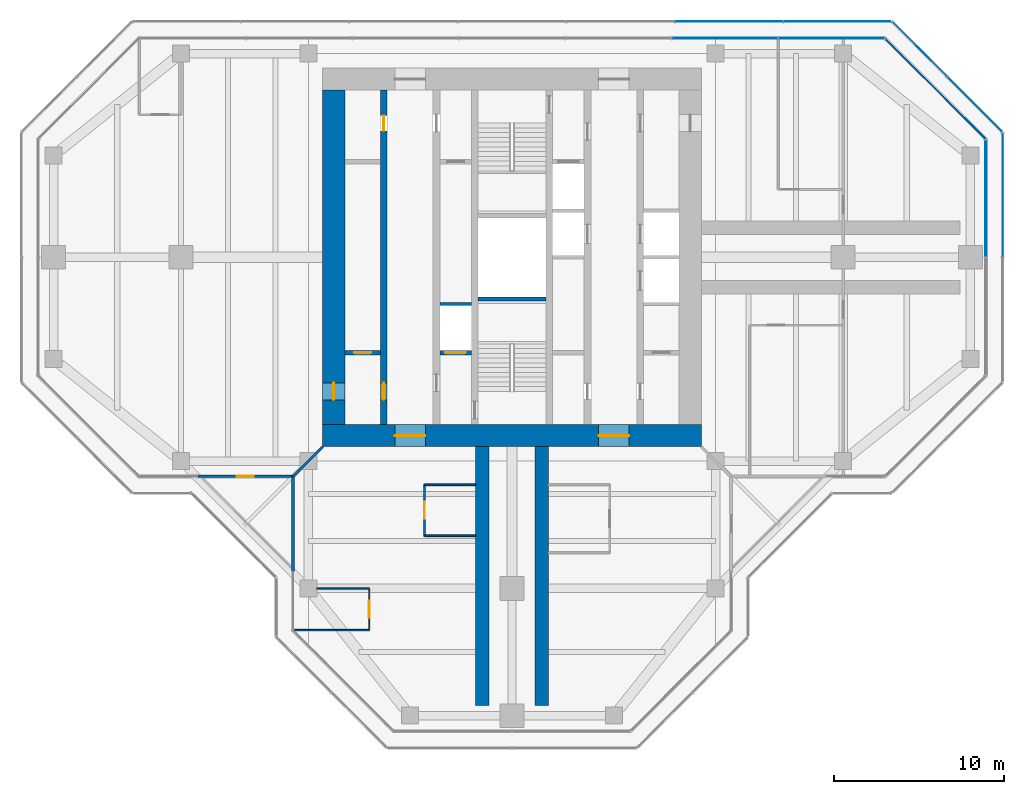
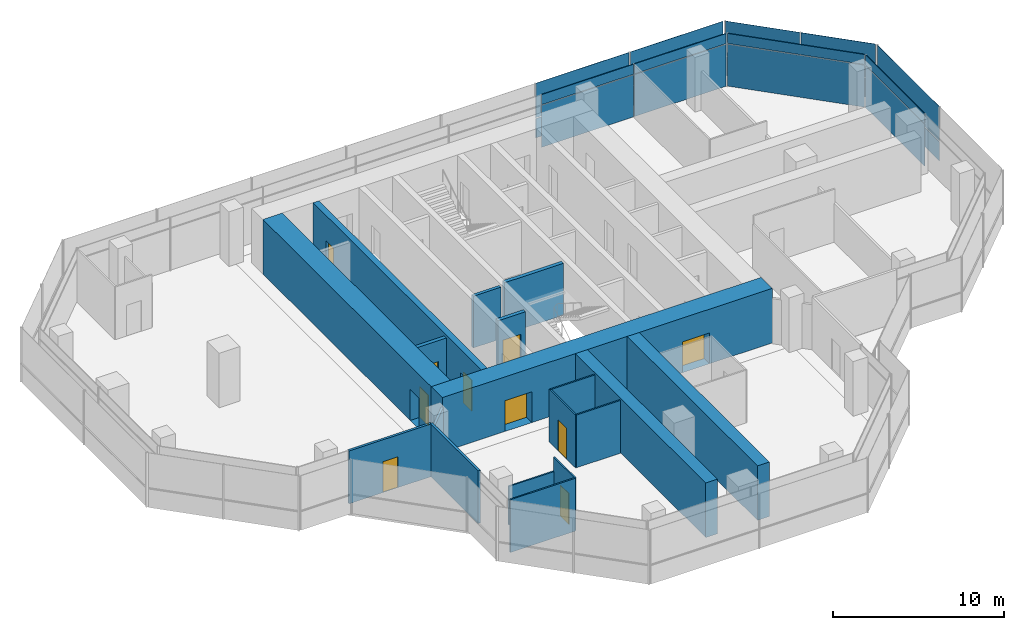
# One storey, part 11 of 15: 18 plates, 18 walls, 10 doors, 10 openings, 6 elements without a shape of their own.
"""IFC4 building model written with IfcOpenShell, lengths in metres."""

from ifc_helpers import new_model, si_unit, direction, frame, frame_2d, origin, origin_2d, place, context, subcontext, project, spatial, rectangle, extrude, material, layer, layer_set, type_object, element, fill, aggregate, save


model = new_model("IFC4")

# Units and contexts
model_context = context("Model", 3, precision=1e-05, world=origin(), true_north=direction((0.0, 1.0)))
body_context = subcontext(model_context, "Body", "Model", "MODEL_VIEW")
ifc_project = project(units=[si_unit("LENGTHUNIT", "METRE"), si_unit("AREAUNIT", "SQUARE_METRE"), si_unit("VOLUMEUNIT", "CUBIC_METRE"), si_unit("PLANEANGLEUNIT", "RADIAN"), si_unit("MASSUNIT", "GRAM", prefix="KILO")], contexts=[model_context])

# Site, building, storey
site_placement = place(None, origin())
site = spatial("IfcSite", under=ifc_project, at=site_placement, CompositionType="ELEMENT")
building_placement = place(site_placement, origin())
building = spatial("IfcBuilding", under=site, at=building_placement, Name="Mizan Broadcast Tower", CompositionType="ELEMENT")
storey_placement = place(building_placement, frame((0.0, 0.0, 275.10009765625)))
storey = spatial("IfcBuildingStorey", under=building, at=storey_placement, Name="L65", CompositionType="ELEMENT", Elevation=275.10009765625)

# Curtain wall, plate
ifc_material_1 = material(Name="Aluminium framed glazing", Category="aluminium")
curtain_wall_type_1 = type_object("IfcCurtainWallType", Name="INNER SKIN TOP ZONE", PredefinedType="USERDEFINED", material=ifc_material_1)
curtain_wall_1_placement = place(storey_placement, origin())
curtain_wall_1 = element("IfcCurtainWall", 1, at=curtain_wall_1_placement, inside=storey, type_object=curtain_wall_type_1, Name="Inner skin top zone L65 E end", ObjectType="INNER SKIN TOP ZONE", PredefinedType="USERDEFINED")
ifc_material_2 = material(Name="Double glazing, clear low-e", Category="glass")
ifc_layer_1 = layer(ifc_material_2, 0.028076171875)
ifc_layer_set_1 = layer_set([ifc_layer_1], Name="Double glazing, clear low-e")
plate_type_1 = type_object("IfcPlateType", Name="INNER SKIN GLAZING UNIT", PredefinedType="CURTAIN_PANEL", material=ifc_layer_set_1)
plate_1_placement = place(storey_placement, frame((27.89990234375, 3.46435546875, 0.0), z_axis=(0.0, 0.0, 1.0), x_axis=(0.0, 1.0, 0.0)))
plate_1 = element("IfcPlate", 2, at=plate_1_placement, type_object=plate_type_1, Name="Inner skin top zone L65 E end panel 2.1", PredefinedType="CURTAIN_PANEL", context=body_context, shape_type="SweptSolid", body=[
    extrude(rectangle(XDim=6.86865234375, YDim=0.028076171875, at=origin_2d()), origin(), (0.0, 0.0, 1.0), 3.0),
])

curtain_wall_2_placement = place(storey_placement, origin())
curtain_wall_2 = element("IfcCurtainWall", 3, at=curtain_wall_2_placement, inside=storey, type_object=curtain_wall_type_1, Name="Inner skin top zone L65 E chamfer", ObjectType="INNER SKIN TOP ZONE", PredefinedType="USERDEFINED")
plate_2_placement = place(storey_placement, frame((24.92919921875, 9.92919921875, 0.0), z_axis=(0.0, 0.0, 1.0), x_axis=(-0.707106781187, 0.707106781187, 0.0)))
plate_2 = element("IfcPlate", 4, at=plate_2_placement, type_object=plate_type_1, Name="Inner skin top zone L65 E chamfer panel 1.1", PredefinedType="CURTAIN_PANEL", context=body_context, shape_type="SweptSolid", body=[
    extrude(rectangle(XDim=8.282470703125, YDim=0.028076171875, at=origin_2d()), origin(), (0.0, 0.0, 1.0), 3.0),
])

# Curtain wall, plates
curtain_wall_3_placement = place(storey_placement, origin())
curtain_wall_3 = element("IfcCurtainWall", 5, at=curtain_wall_3_placement, inside=storey, type_object=curtain_wall_type_1, Name="Inner skin top zone L65 N end", ObjectType="INNER SKIN TOP ZONE", PredefinedType="USERDEFINED")
plate_3_placement = place(storey_placement, frame((18.806640625, 12.89990234375, 0.0), z_axis=(0.0, 0.0, 1.0), x_axis=(-1.0, 0.0, 0.0)))
plate_3 = element("IfcPlate", 6, at=plate_3_placement, type_object=plate_type_1, Name="Inner skin top zone L65 N end panel 1.1", PredefinedType="CURTAIN_PANEL", context=body_context, shape_type="SweptSolid", body=[
    extrude(rectangle(XDim=6.183837890625, YDim=0.028076171875, at=origin_2d()), origin(), (0.0, 0.0, 1.0), 3.0),
])
plate_4_placement = place(storey_placement, frame((12.5478515625, 12.89990234375, 0.0), z_axis=(0.0, 0.0, 1.0), x_axis=(-1.0, 0.0, 0.0)))
plate_4 = element("IfcPlate", 7, at=plate_4_placement, type_object=plate_type_1, Name="Inner skin top zone L65 N end panel 2.1", PredefinedType="CURTAIN_PANEL", context=body_context, shape_type="SweptSolid", body=[
    extrude(rectangle(XDim=6.2138671875, YDim=0.028076171875, at=origin_2d()), origin(), (0.0, 0.0, 1.0), 3.0),
])

# Plate
ifc_material_3 = material(Name="Insulated aluminium spandrel panel, pale anodised", Category="aluminium")
ifc_layer_2 = layer(ifc_material_3, 0.050048828125)
ifc_layer_set_2 = layer_set([ifc_layer_2], Name="Insulated aluminium spandrel panel, pale anodised")
plate_type_2 = type_object("IfcPlateType", Name="INNER SKIN SPANDREL PANEL", PredefinedType="CURTAIN_PANEL", material=ifc_layer_set_2)
plate_5_placement = place(storey_placement, frame((27.89990234375, 3.46435546875, 3.059814453125), z_axis=(0.0, 0.0, 1.0), x_axis=(0.0, 1.0, 0.0)))
plate_5 = element("IfcPlate", 8, at=plate_5_placement, type_object=plate_type_2, Name="Inner skin top zone L65 E end panel 2.2", PredefinedType="CURTAIN_PANEL", context=body_context, shape_type="SweptSolid", body=[
    extrude(rectangle(XDim=6.86865234375, YDim=0.050048828125, at=origin_2d()), origin(), (0.0, 0.0, 1.0), 0.7099609375),
])

aggregate(curtain_wall_1, [plate_1, plate_5])

plate_6_placement = place(storey_placement, frame((24.92919921875, 9.92919921875, 3.059814453125), z_axis=(0.0, 0.0, 1.0), x_axis=(-0.707106781187, 0.707106781187, 0.0)))
plate_6 = element("IfcPlate", 9, at=plate_6_placement, type_object=plate_type_2, Name="Inner skin top zone L65 E chamfer panel 1.2", PredefinedType="CURTAIN_PANEL", context=body_context, shape_type="SweptSolid", body=[
    extrude(rectangle(XDim=8.282470703125, YDim=0.050048828125, at=origin_2d()), origin(), (0.0, 0.0, 1.0), 0.7099609375),
])

aggregate(curtain_wall_2, [plate_2, plate_6])

plate_7_placement = place(storey_placement, frame((18.806640625, 12.89990234375, 3.059814453125), z_axis=(0.0, 0.0, 1.0), x_axis=(-1.0, 0.0, 0.0)))
plate_7 = element("IfcPlate", 10, at=plate_7_placement, type_object=plate_type_2, Name="Inner skin top zone L65 N end panel 1.2", PredefinedType="CURTAIN_PANEL", context=body_context, shape_type="SweptSolid", body=[
    extrude(rectangle(XDim=6.183837890625, YDim=0.050048828125, at=origin_2d()), origin(), (0.0, 0.0, 1.0), 0.7099609375),
])

plate_8_placement = place(storey_placement, frame((12.5478515625, 12.89990234375, 3.059814453125), z_axis=(0.0, 0.0, 1.0), x_axis=(-1.0, 0.0, 0.0)))
plate_8 = element("IfcPlate", 11, at=plate_8_placement, type_object=plate_type_2, Name="Inner skin top zone L65 N end panel 2.2", PredefinedType="CURTAIN_PANEL", context=body_context, shape_type="SweptSolid", body=[
    extrude(rectangle(XDim=6.2138671875, YDim=0.050048828125, at=origin_2d()), origin(), (0.0, 0.0, 1.0), 0.7099609375),
])

aggregate(curtain_wall_3, [plate_3, plate_7, plate_4, plate_8])

# Curtain wall, plates
ifc_material_4 = material(Name="Aluminium framed glazing", Category="aluminium")
curtain_wall_type_2 = type_object("IfcCurtainWallType", Name="OUTER SKIN", PredefinedType="USERDEFINED", material=ifc_material_4)
curtain_wall_4_placement = place(storey_placement, origin())
curtain_wall_4 = element("IfcCurtainWall", 12, at=curtain_wall_4_placement, inside=storey, type_object=curtain_wall_type_2, Name="Outer skin L65 E chamfer", ObjectType="OUTER SKIN", PredefinedType="USERDEFINED")
ifc_material_5 = material(Name="Laminated clear glass", Category="glass")
ifc_layer_3 = layer(ifc_material_5, 0.02001953125)
ifc_layer_set_3 = layer_set([ifc_layer_3], Name="Laminated clear glass")
plate_type_3 = type_object("IfcPlateType", Name="OUTER SKIN CLEAR GLASS", PredefinedType="CURTAIN_PANEL", material=ifc_layer_set_3)
plate_9_placement = place(storey_placement, frame((27.254150390625, 9.018798828125, -0.000244140625), z_axis=(0.0, 0.0, 1.0), x_axis=(-0.707106781187, 0.707106781187, 0.0)))
plate_9 = element("IfcPlate", 13, at=plate_9_placement, type_object=plate_type_3, Name="Outer skin L65 E chamfer panel 1.1", PredefinedType="CURTAIN_PANEL", context=body_context, shape_type="SweptSolid", body=[
    extrude(rectangle(XDim=4.495361328125, YDim=0.02001953125, at=origin_2d()), origin(), (0.0, 0.0, 1.0), 1.3701171875),
])
plate_10_placement = place(storey_placement, frame((27.254150390625, 9.018798828125, 1.4296875), z_axis=(0.0, 0.0, 1.0), x_axis=(-0.707106781187, 0.707106781187, 0.0)))
plate_10 = element("IfcPlate", 14, at=plate_10_placement, type_object=plate_type_3, Name="Outer skin L65 E chamfer panel 1.2", PredefinedType="CURTAIN_PANEL", context=body_context, shape_type="SweptSolid", body=[
    extrude(rectangle(XDim=4.495361328125, YDim=0.02001953125, at=origin_2d()), origin(), (0.0, 0.0, 1.0), 2.469970703125),
])

curtain_wall_5_placement = place(storey_placement, origin())
curtain_wall_5 = element("IfcCurtainWall", 15, at=curtain_wall_5_placement, inside=storey, type_object=curtain_wall_type_2, Name="Outer skin L65 N end", ObjectType="OUTER SKIN", PredefinedType="USERDEFINED")
plate_11_placement = place(storey_placement, frame((19.15673828125, 13.89990234375, -0.000244140625), z_axis=(0.0, 0.0, 1.0), x_axis=(-1.0, 0.0, 0.0)))
plate_11 = element("IfcPlate", 16, at=plate_11_placement, type_object=plate_type_3, Name="Outer skin L65 N end panel 1.1", PredefinedType="CURTAIN_PANEL", context=body_context, shape_type="SweptSolid", body=[
    extrude(rectangle(XDim=6.272216796875, YDim=0.02001953125, at=origin_2d()), origin(), (0.0, 0.0, 1.0), 1.3701171875),
])
plate_12_placement = place(storey_placement, frame((19.15673828125, 13.89990234375, 1.4296875), z_axis=(0.0, 0.0, 1.0), x_axis=(-1.0, 0.0, 0.0)))
plate_12 = element("IfcPlate", 17, at=plate_12_placement, type_object=plate_type_3, Name="Outer skin L65 N end panel 1.2", PredefinedType="CURTAIN_PANEL", context=body_context, shape_type="SweptSolid", body=[
    extrude(rectangle(XDim=6.272216796875, YDim=0.02001953125, at=origin_2d()), origin(), (0.0, 0.0, 1.0), 2.469970703125),
])
plate_13_placement = place(storey_placement, frame((12.784423828125, 13.89990234375, -0.000244140625), z_axis=(0.0, 0.0, 1.0), x_axis=(-1.0, 0.0, 0.0)))
plate_13 = element("IfcPlate", 18, at=plate_13_placement, type_object=plate_type_3, Name="Outer skin L65 N end panel 2.1", PredefinedType="CURTAIN_PANEL", context=body_context, shape_type="SweptSolid", body=[
    extrude(rectangle(XDim=6.312255859375, YDim=0.02001953125, at=origin_2d()), origin(), (0.0, 0.0, 1.0), 1.3701171875),
])
plate_14_placement = place(storey_placement, frame((12.784423828125, 13.89990234375, 1.4296875), z_axis=(0.0, 0.0, 1.0), x_axis=(-1.0, 0.0, 0.0)))
plate_14 = element("IfcPlate", 19, at=plate_14_placement, type_object=plate_type_3, Name="Outer skin L65 N end panel 2.2", PredefinedType="CURTAIN_PANEL", context=body_context, shape_type="SweptSolid", body=[
    extrude(rectangle(XDim=6.312255859375, YDim=0.02001953125, at=origin_2d()), origin(), (0.0, 0.0, 1.0), 2.469970703125),
])
aggregate(curtain_wall_5, [plate_11, plate_12, plate_13, plate_14])

curtain_wall_6_placement = place(storey_placement, origin())
curtain_wall_6 = element("IfcCurtainWall", 20, at=curtain_wall_6_placement, inside=storey, type_object=curtain_wall_type_2, Name="Outer skin L65 E end", ObjectType="OUTER SKIN", PredefinedType="USERDEFINED")
ifc_material_6 = material(Name="Perforated aluminium, pale anodised", Category="aluminium")
ifc_layer_4 = layer(ifc_material_6, 0.011962890625)
ifc_layer_set_4 = layer_set([ifc_layer_4], Name="Perforated aluminium, pale anodised")
plate_type_4 = type_object("IfcPlateType", Name="OUTER SKIN PERFORATED SCREEN", PredefinedType="USERDEFINED", material=ifc_layer_set_4)
plate_15_placement = place(storey_placement, frame((28.89990234375, 3.66650390625, -0.000244140625), z_axis=(0.0, 0.0, 1.0), x_axis=(0.0, 1.0, 0.0)))
plate_15 = element("IfcPlate", 21, at=plate_15_placement, type_object=plate_type_4, Name="Outer skin L65 E end panel 2.1", ObjectType="SCREEN", PredefinedType="USERDEFINED", context=body_context, shape_type="SweptSolid", body=[
    extrude(rectangle(XDim=7.252685546875, YDim=0.011962890625, at=origin_2d()), origin(), (0.0, 0.0, 1.0), 1.3701171875),
])
plate_16_placement = place(storey_placement, frame((28.89990234375, 3.66650390625, 1.4296875), z_axis=(0.0, 0.0, 1.0), x_axis=(0.0, 1.0, 0.0)))
plate_16 = element("IfcPlate", 22, at=plate_16_placement, type_object=plate_type_4, Name="Outer skin L65 E end panel 2.2", ObjectType="SCREEN", PredefinedType="USERDEFINED", context=body_context, shape_type="SweptSolid", body=[
    extrude(rectangle(XDim=7.252685546875, YDim=0.011962890625, at=origin_2d()), origin(), (0.0, 0.0, 1.0), 2.469970703125),
])
aggregate(curtain_wall_6, [plate_15, plate_16])

# Plate
plate_17_placement = place(storey_placement, frame((24.018798828125, 12.254150390625, -0.000244140625), z_axis=(0.0, 0.0, 1.0), x_axis=(-0.707106781187, 0.707106781187, 0.0)))
plate_17 = element("IfcPlate", 23, at=plate_17_placement, type_object=plate_type_4, Name="Outer skin L65 E chamfer panel 2.1", ObjectType="SCREEN", PredefinedType="USERDEFINED", context=body_context, shape_type="SweptSolid", body=[
    extrude(rectangle(XDim=4.495361328125, YDim=0.011962890625, at=origin_2d()), origin(), (0.0, 0.0, 1.0), 1.3701171875),
])

plate_18_placement = place(storey_placement, frame((24.018798828125, 12.254150390625, 1.4296875), z_axis=(0.0, 0.0, 1.0), x_axis=(-0.707106781187, 0.707106781187, 0.0)))
plate_18 = element("IfcPlate", 24, at=plate_18_placement, type_object=plate_type_4, Name="Outer skin L65 E chamfer panel 2.2", ObjectType="SCREEN", PredefinedType="USERDEFINED", context=body_context, shape_type="SweptSolid", body=[
    extrude(rectangle(XDim=4.495361328125, YDim=0.011962890625, at=origin_2d()), origin(), (0.0, 0.0, 1.0), 2.469970703125),
])

aggregate(curtain_wall_4, [plate_9, plate_10, plate_17, plate_18])

# Wall, openings, doors
ifc_material_7 = material(Name="Concrete C70/85", Category="concrete")
ifc_layer_5 = layer(ifc_material_7, 0.39990234375)
ifc_layer_set_5 = layer_set([ifc_layer_5], Name="Concrete C70/85")
wall_type_1 = type_object("IfcWallType", Name="CORE INTERNAL WALL 400", PredefinedType="SHEAR", material=ifc_layer_set_5)
wall_1_placement = place(storey_placement, frame((-7.550048828125, -9.85009765625, 0.0), z_axis=(0.0, 0.0, 1.0), x_axis=(0.0, 1.0, 0.0)))
wall_1 = element("IfcWall", 25, at=wall_1_placement, inside=storey, type_object=wall_type_1, Name="Core wall CORE/XW1", PredefinedType="SHEAR", context=body_context, shape_type="SweptSolid", body=[
    extrude(rectangle(XDim=19.7001953125, YDim=0.39990234375, at=frame_2d((9.85009765625, 0.0))), origin(), (0.0, 0.0, 1.0), 3.89990234375),
])
opening_1_placement = place(wall_1_placement, frame((1.449951171875, 0.0, 0.0)))
opening_1 = element("IfcOpeningElement", 26, at=opening_1_placement, cuts=wall_1, Name="Opening D10F", PredefinedType="OPENING", context=body_context, shape_type="SweptSolid", body=[
    extrude(rectangle(XDim=1.0, YDim=2.199951171875, at=frame_2d((0.5, 1.10009765625))), frame((0.0, 0.2099609375, 0.0), z_axis=(0.0, -1.0, 0.0), x_axis=(1.0, 0.0, 0.0)), (0.0, 0.0, 1.0), 0.419921875),
])
opening_2_placement = place(wall_1_placement, frame((17.300048828125, 0.0, 0.0)))
opening_2 = element("IfcOpeningElement", 27, at=opening_2_placement, cuts=wall_1, Name="Opening D09", PredefinedType="OPENING", context=body_context, shape_type="SweptSolid", body=[
    extrude(rectangle(XDim=0.89990234375, YDim=2.10009765625, at=frame_2d((0.449951171875, 1.050048828125))), frame((0.0, 0.2099609375, 0.0), z_axis=(0.0, -1.0, 0.0), x_axis=(1.0, 0.0, 0.0)), (0.0, 0.0, 1.0), 0.419921875),
])
ifc_material_8 = material(Name="Steel door leaf in steel frame", Category="steel")
door_type_1 = type_object("IfcDoorType", Name="FIRE DOOR 1000 FD90", OperationType="SINGLE_SWING_LEFT", PredefinedType="DOOR", material=ifc_material_8)
door_1_placement = place(opening_1_placement, origin())
door_1 = element("IfcDoor", 28, at=door_1_placement, inside=storey, type_object=door_type_1, Name="West core passage door", OperationType="SINGLE_SWING_LEFT", OverallHeight=2.199951171875, OverallWidth=1.0, PredefinedType="DOOR", context=body_context, shape_type="SweptSolid", body=[
    extrude(rectangle(XDim=1.0, YDim=2.199951171875, at=frame_2d((0.5, 1.10009765625))), frame((0.0, 0.02490234375, 0.0), z_axis=(0.0, -1.0, 0.0), x_axis=(1.0, 0.0, 0.0)), (0.0, 0.0, 1.0), 0.050048828125),
])
fill(opening_1, door_1)
ifc_material_9 = material(Name="Timber door leaf in aluminium frame", Category="wood")
door_type_2 = type_object("IfcDoorType", Name="TOILET DOOR 900", OperationType="SINGLE_SWING_LEFT", PredefinedType="DOOR", material=ifc_material_9)
door_2_placement = place(opening_2_placement, origin())
door_2 = element("IfcDoor", 29, at=door_2_placement, inside=storey, type_object=door_type_2, Name="Male WC door", OperationType="SINGLE_SWING_RIGHT", OverallHeight=2.10009765625, OverallWidth=0.89990234375, PredefinedType="DOOR", context=body_context, shape_type="SweptSolid", body=[
    extrude(rectangle(XDim=0.89990234375, YDim=2.10009765625, at=frame_2d((0.449951171875, 1.050048828125))), frame((0.0, 0.02490234375, 0.0), z_axis=(0.0, -1.0, 0.0), x_axis=(1.0, 0.0, 0.0)), (0.0, 0.0, 1.0), 0.050048828125),
])
fill(opening_2, door_2)

ifc_material_10 = material(Name="Concrete C70/85", Category="concrete")
ifc_layer_6 = layer(ifc_material_10, 1.300048828125)
ifc_layer_set_6 = layer_set([ifc_layer_6], Name="Concrete C70/85")
wall_type_2 = type_object("IfcWallType", Name="CORE WALL 1300", PredefinedType="SHEAR", material=ifc_layer_set_6)
wall_2_placement = place(storey_placement, frame((11.14990234375, -10.5, 0.0), z_axis=(0.0, 0.0, 1.0), x_axis=(-1.0, 0.0, 0.0)))
wall_2 = element("IfcWall", 30, at=wall_2_placement, inside=storey, type_object=wall_type_2, Name="Core wall S L65", PredefinedType="SHEAR", context=body_context, shape_type="SweptSolid", body=[
    extrude(rectangle(XDim=22.2998046875, YDim=1.300048828125, at=frame_2d((11.14990234375, 0.0))), origin(), (0.0, 0.0, 1.0), 3.89990234375),
])
opening_3_placement = place(wall_2_placement, frame((16.25, 0.0, 0.0)))
opening_3 = element("IfcOpeningElement", 31, at=opening_3_placement, cuts=wall_2, Name="Opening D18F", PredefinedType="OPENING", context=body_context, shape_type="SweptSolid", body=[
    extrude(rectangle(XDim=1.800048828125, YDim=2.199951171875, at=frame_2d((0.89990234375, 1.10009765625))), frame((0.0, 0.659912109375, 0.0), z_axis=(0.0, -1.0, 0.0), x_axis=(1.0, 0.0, 0.0)), (0.0, 0.0, 1.0), 1.320068359375),
])
opening_4_placement = place(wall_2_placement, frame((4.25, 0.0, 0.0)))
opening_4 = element("IfcOpeningElement", 32, at=opening_4_placement, cuts=wall_2, Name="Opening D18F", PredefinedType="OPENING", context=body_context, shape_type="SweptSolid", body=[
    extrude(rectangle(XDim=1.800048828125, YDim=2.199951171875, at=frame_2d((0.89990234375, 1.10009765625))), frame((0.0, 0.659912109375, 0.0), z_axis=(0.0, -1.0, 0.0), x_axis=(1.0, 0.0, 0.0)), (0.0, 0.0, 1.0), 1.320068359375),
])
ifc_material_11 = material(Name="Steel door leaf in steel frame", Category="steel")
door_type_3 = type_object("IfcDoorType", Name="LOBBY DOUBLE DOOR 1800 FD90", OperationType="DOUBLE_DOOR_DOUBLE_SWING", PredefinedType="DOOR", material=ifc_material_11)
door_3_placement = place(opening_3_placement, origin())
door_3 = element("IfcDoor", 33, at=door_3_placement, inside=storey, type_object=door_type_3, Name="West lift lobby south door", OperationType="DOUBLE_DOOR_DOUBLE_SWING", OverallHeight=2.199951171875, OverallWidth=1.800048828125, PredefinedType="DOOR", context=body_context, shape_type="SweptSolid", body=[
    extrude(rectangle(XDim=1.800048828125, YDim=2.199951171875, at=frame_2d((0.89990234375, 1.10009765625))), frame((0.0, 0.02490234375, 0.0), z_axis=(0.0, -1.0, 0.0), x_axis=(1.0, 0.0, 0.0)), (0.0, 0.0, 1.0), 0.050048828125),
])
fill(opening_3, door_3)
door_4_placement = place(opening_4_placement, origin())
door_4 = element("IfcDoor", 34, at=door_4_placement, inside=storey, type_object=door_type_3, Name="East lift lobby south door", OperationType="DOUBLE_DOOR_DOUBLE_SWING", OverallHeight=2.199951171875, OverallWidth=1.800048828125, PredefinedType="DOOR", context=body_context, shape_type="SweptSolid", body=[
    extrude(rectangle(XDim=1.800048828125, YDim=2.199951171875, at=frame_2d((0.89990234375, 1.10009765625))), frame((0.0, 0.02490234375, 0.0), z_axis=(0.0, -1.0, 0.0), x_axis=(1.0, 0.0, 0.0)), (0.0, 0.0, 1.0), 0.050048828125),
])
fill(opening_4, door_4)

# Wall, opening, door
wall_3_placement = place(storey_placement, frame((-10.5, 9.85009765625, 0.0), z_axis=(0.0, 0.0, 1.0), x_axis=(0.0, -1.0, 0.0)))
wall_3 = element("IfcWall", 35, at=wall_3_placement, inside=storey, type_object=wall_type_2, Name="Core wall W L65", PredefinedType="SHEAR", context=body_context, shape_type="SweptSolid", body=[
    extrude(rectangle(XDim=19.7001953125, YDim=1.300048828125, at=frame_2d((9.85009765625, 0.0))), origin(), (0.0, 0.0, 1.0), 3.89990234375),
])
opening_5_placement = place(wall_3_placement, frame((17.25, 0.0, 0.0)))
opening_5 = element("IfcOpeningElement", 36, at=opening_5_placement, cuts=wall_3, Name="Opening D10F", PredefinedType="OPENING", context=body_context, shape_type="SweptSolid", body=[
    extrude(rectangle(XDim=1.0, YDim=2.199951171875, at=frame_2d((0.5, 1.10009765625))), frame((0.0, 0.659912109375, 0.0), z_axis=(0.0, -1.0, 0.0), x_axis=(1.0, 0.0, 0.0)), (0.0, 0.0, 1.0), 1.320068359375),
])
door_5_placement = place(opening_5_placement, origin())
door_5 = element("IfcDoor", 37, at=door_5_placement, inside=storey, type_object=door_type_1, Name="West core passage arm door", OperationType="SINGLE_SWING_RIGHT", OverallHeight=2.199951171875, OverallWidth=1.0, PredefinedType="DOOR", context=body_context, shape_type="SweptSolid", body=[
    extrude(rectangle(XDim=1.0, YDim=2.199951171875, at=frame_2d((0.5, 1.10009765625))), frame((0.0, 0.02490234375, 0.0), z_axis=(0.0, -1.0, 0.0), x_axis=(1.0, 0.0, 0.0)), (0.0, 0.0, 1.0), 0.050048828125),
])
fill(opening_5, door_5)

ifc_material_12 = material(Name="Aluminium framed glazed screen", Category="aluminium")
ifc_layer_7 = layer(ifc_material_12, 0.159912109375)
ifc_layer_set_7 = layer_set([ifc_layer_7], Name="Aluminium framed glazed screen")
wall_type_3 = type_object("IfcWallType", Name="GLAZED SCREEN WALL 160", PredefinedType="SOLIDWALL", material=ifc_layer_set_7)
wall_4_placement = place(storey_placement, frame((-18.5, -12.89990234375, 0.0), z_axis=(0.0, 0.0, 1.0), x_axis=(1.0, 0.0, 0.0)))
wall_4 = element("IfcWall", 38, at=wall_4_placement, inside=storey, type_object=wall_type_3, Name="Winter garden screen L65 W", PredefinedType="SOLIDWALL", context=body_context, shape_type="SweptSolid", body=[
    extrude(rectangle(XDim=5.60009765625, YDim=0.159912109375, at=frame_2d((2.800048828125, 0.0))), origin(), (0.0, 0.0, 1.0), 3.77001953125),
])
opening_6_placement = place(wall_4_placement, frame((2.300048828125, 0.0, 0.0)))
opening_6 = element("IfcOpeningElement", 39, at=opening_6_placement, cuts=wall_4, Name="Opening WGD", PredefinedType="OPENING", context=body_context, shape_type="SweptSolid", body=[
    extrude(rectangle(XDim=1.0, YDim=2.199951171875, at=frame_2d((0.5, 1.10009765625))), frame((0.0, 0.08984375, 0.0), z_axis=(0.0, -1.0, 0.0), x_axis=(1.0, 0.0, 0.0)), (0.0, 0.0, 1.0), 0.179931640625),
])
ifc_material_13 = material(Name="Aluminium framed glazed door", Category="aluminium")
door_type_4 = type_object("IfcDoorType", Name="WINTER GARDEN DOOR 1000 GLAZED", OperationType="SINGLE_SWING_LEFT", PredefinedType="DOOR", material=ifc_material_13)
door_6_placement = place(opening_6_placement, origin())
door_6 = element("IfcDoor", 40, at=door_6_placement, inside=storey, type_object=door_type_4, Name="Winter garden door L65 W", OperationType="SINGLE_SWING_RIGHT", OverallHeight=2.199951171875, OverallWidth=1.0, PredefinedType="DOOR", context=body_context, shape_type="SweptSolid", body=[
    extrude(rectangle(XDim=1.0, YDim=2.199951171875, at=frame_2d((0.5, 1.10009765625))), frame((0.0, 0.02490234375, 0.0), z_axis=(0.0, -1.0, 0.0), x_axis=(1.0, 0.0, 0.0)), (0.0, 0.0, 1.0), 0.050048828125),
])
fill(opening_6, door_6)

# Walls
wall_5_placement = place(storey_placement, frame((-12.89990234375, -12.89990234375, 0.0), z_axis=(0.0, 0.0, 1.0), x_axis=(0.0, -1.0, 0.0)))
element("IfcWall", 41, at=wall_5_placement, inside=storey, type_object=wall_type_3, Name="Winter garden screen L65 S", PredefinedType="SOLIDWALL", context=body_context, shape_type="SweptSolid", body=[
    extrude(rectangle(XDim=5.60009765625, YDim=0.159912109375, at=frame_2d((2.800048828125, 0.0))), origin(), (0.0, 0.0, 1.0), 3.77001953125),
])
ifc_material_14 = material(Name="Concrete blockwork", Category="masonry")
ifc_layer_8 = layer(ifc_material_14, 0.199951171875)
ifc_layer_set_8 = layer_set([ifc_layer_8], Name="Concrete blockwork")
wall_type_4 = type_object("IfcWallType", Name="LIFT SHAFT WALL 200", PredefinedType="SOLIDWALL", material=ifc_layer_set_8)
wall_6_placement = place(storey_placement, frame((-4.25, -2.75, 0.0), z_axis=(0.0, 0.0, 1.0), x_axis=(1.0, 0.0, 0.0)))
element("IfcWall", 42, at=wall_6_placement, inside=storey, type_object=wall_type_4, Name="Lift shaft wall CORE/SW2-1", PredefinedType="SOLIDWALL", context=body_context, shape_type="SweptSolid", body=[
    extrude(rectangle(XDim=1.85009765625, YDim=0.199951171875, at=frame_2d((0.925048828125, 0.0))), origin(), (0.0, 0.0, 1.0), 3.699951171875),
])

# Wall, opening, door
ifc_material_15 = material(Name="Concrete blockwork", Category="masonry")
ifc_layer_9 = layer(ifc_material_15, 0.25)
ifc_layer_set_9 = layer_set([ifc_layer_9], Name="Concrete blockwork")
wall_type_5 = type_object("IfcWallType", Name="LOBBY ENCLOSURE WALL 250", PredefinedType="SOLIDWALL", material=ifc_layer_set_9)
wall_7_placement = place(storey_placement, frame((-9.85009765625, -5.625, 0.0), z_axis=(0.0, 0.0, 1.0), x_axis=(1.0, 0.0, 0.0)))
wall_7 = element("IfcWall", 43, at=wall_7_placement, inside=storey, type_object=wall_type_5, Name="Lobby enclosure wall CORE/BW1S", PredefinedType="SOLIDWALL", context=body_context, shape_type="SweptSolid", body=[
    extrude(rectangle(XDim=2.10009765625, YDim=0.25, at=frame_2d((1.050048828125, 0.0))), origin(), (0.0, 0.0, 1.0), 3.699951171875),
])
opening_7_placement = place(wall_7_placement, frame((0.550048828125, 0.0, 0.0)))
opening_7 = element("IfcOpeningElement", 44, at=opening_7_placement, cuts=wall_7, Name="Opening D10F", PredefinedType="OPENING", context=body_context, shape_type="SweptSolid", body=[
    extrude(rectangle(XDim=1.0, YDim=2.199951171875, at=frame_2d((0.5, 1.10009765625))), frame((0.0, 0.135009765625, 0.0), z_axis=(0.0, -1.0, 0.0), x_axis=(1.0, 0.0, 0.0)), (0.0, 0.0, 1.0), 0.27001953125),
])
door_7_placement = place(opening_7_placement, origin())
door_7 = element("IfcDoor", 45, at=door_7_placement, inside=storey, type_object=door_type_1, Name="Comms equipment room door", OperationType="SINGLE_SWING_RIGHT", OverallHeight=2.199951171875, OverallWidth=1.0, PredefinedType="DOOR", context=body_context, shape_type="SweptSolid", body=[
    extrude(rectangle(XDim=1.0, YDim=2.199951171875, at=frame_2d((0.5, 1.10009765625))), frame((0.0, 0.02490234375, 0.0), z_axis=(0.0, -1.0, 0.0), x_axis=(1.0, 0.0, 0.0)), (0.0, 0.0, 1.0), 0.050048828125),
])
fill(opening_7, door_7)

wall_8_placement = place(storey_placement, frame((-4.25, -5.625, 0.0), z_axis=(0.0, 0.0, 1.0), x_axis=(1.0, 0.0, 0.0)))
wall_8 = element("IfcWall", 46, at=wall_8_placement, inside=storey, type_object=wall_type_5, Name="Lobby enclosure wall CORE/BW2S", PredefinedType="SOLIDWALL", context=body_context, shape_type="SweptSolid", body=[
    extrude(rectangle(XDim=1.85009765625, YDim=0.25, at=frame_2d((0.925048828125, 0.0))), origin(), (0.0, 0.0, 1.0), 3.699951171875),
])
opening_8_placement = place(wall_8_placement, frame((0.324951171875, 0.0, 0.0)))
opening_8 = element("IfcOpeningElement", 47, at=opening_8_placement, cuts=wall_8, Name="Opening LDF", PredefinedType="OPENING", context=body_context, shape_type="SweptSolid", body=[
    extrude(rectangle(XDim=1.199951171875, YDim=2.199951171875, at=frame_2d((0.60009765625, 1.10009765625))), frame((0.0, 0.135009765625, 0.0), z_axis=(0.0, -1.0, 0.0), x_axis=(1.0, 0.0, 0.0)), (0.0, 0.0, 1.0), 0.27001953125),
])
ifc_material_16 = material(Name="Steel door leaf in steel frame", Category="steel")
door_type_5 = type_object("IfcDoorType", Name="FIREFIGHTING LIFT LANDING DOOR 1200", OperationType="SLIDING_TO_LEFT", PredefinedType="DOOR", material=ifc_material_16)
door_8_placement = place(opening_8_placement, origin())
door_8 = element("IfcDoor", 48, at=door_8_placement, inside=storey, type_object=door_type_5, Name="Landing door FF1", OperationType="SLIDING_TO_LEFT", OverallHeight=2.199951171875, OverallWidth=1.199951171875, PredefinedType="DOOR", context=body_context, shape_type="SweptSolid", body=[
    extrude(rectangle(XDim=1.199951171875, YDim=2.199951171875, at=frame_2d((0.60009765625, 1.10009765625))), frame((0.0, 0.02490234375, 0.0), z_axis=(0.0, -1.0, 0.0), x_axis=(1.0, 0.0, 0.0)), (0.0, 0.0, 1.0), 0.050048828125),
])
fill(opening_8, door_8)

# Walls
wall_9_placement = place(storey_placement, frame((-2.0, -2.449951171875, 0.0), z_axis=(0.0, 0.0, 1.0), x_axis=(1.0, 0.0, 0.0)))
element("IfcWall", 49, at=wall_9_placement, inside=storey, type_object=wall_type_5, Name="Lobby enclosure wall CORE/STA", PredefinedType="SOLIDWALL", context=body_context, shape_type="SweptSolid", body=[
    extrude(rectangle(XDim=4.0, YDim=0.25, at=frame_2d((2.0, 0.0))), origin(), (0.0, 0.0, 1.0), 3.699951171875),
])
ifc_material_17 = material(Name="Gypsum board on steel studs", Category="steel")
ifc_layer_10 = layer(ifc_material_17, 0.14990234375)
ifc_layer_set_10 = layer_set([ifc_layer_10], Name="Gypsum board on steel studs")
wall_type_6 = type_object("IfcWallType", Name="PARTITION 150", PredefinedType="PARTITIONING", material=ifc_layer_set_10)
wall_10_placement = place(storey_placement, frame((-11.14990234375, -11.14990234375, 0.0), z_axis=(0.0, 0.0, 1.0), x_axis=(-0.707106781187, -0.707106781187, 0.0)))
element("IfcWall", 50, at=wall_10_placement, inside=storey, type_object=wall_type_6, Name="Partition PT/DGWS", PredefinedType="PARTITIONING", context=body_context, shape_type="SweptSolid", body=[
    extrude(rectangle(XDim=2.460693359375, YDim=0.14990234375, at=frame_2d((1.23046875, 0.0))), origin(), (0.0, 0.0, 1.0), 3.219970703125),
])

# Wall, opening, door
ifc_material_18 = material(Name="Glazed aluminium partition on aluminium track", Category="aluminium")
ifc_layer_11 = layer(ifc_material_18, 0.10009765625)
ifc_layer_set_11 = layer_set([ifc_layer_11], Name="Glazed aluminium partition on aluminium track")
wall_type_7 = type_object("IfcWallType", Name="PARTITION GLAZED OFFICE FRONT 100", PredefinedType="PARTITIONING", material=ifc_layer_set_11)
wall_11_placement = place(storey_placement, frame((-8.39990234375, -19.5, 0.0), z_axis=(0.0, 0.0, 1.0), x_axis=(0.0, -1.0, 0.0)))
wall_11 = element("IfcWall", 51, at=wall_11_placement, inside=storey, type_object=wall_type_7, Name="Glazed office front PT/SCN0", PredefinedType="PARTITIONING", context=body_context, shape_type="SweptSolid", body=[
    extrude(rectangle(XDim=2.458984375, YDim=0.10009765625, at=frame_2d((1.2294921875, 0.0))), origin(), (0.0, 0.0, 1.0), 3.77001953125),
])
opening_9_placement = place(wall_11_placement, frame((0.7294921875, 0.0, 0.0)))
opening_9 = element("IfcOpeningElement", 52, at=opening_9_placement, cuts=wall_11, Name="Opening D10O", PredefinedType="OPENING", context=body_context, shape_type="SweptSolid", body=[
    extrude(rectangle(XDim=1.0, YDim=2.199951171875, at=frame_2d((0.5, 1.10009765625))), frame((0.0, 0.06005859375, 0.0), z_axis=(0.0, -1.0, 0.0), x_axis=(1.0, 0.0, 0.0)), (0.0, 0.0, 1.0), 0.1201171875),
])
ifc_material_19 = material(Name="Timber door leaf in aluminium frame", Category="wood")
door_type_6 = type_object("IfcDoorType", Name="OFFICE DOOR 1000 GLAZED", OperationType="SINGLE_SWING_LEFT", PredefinedType="DOOR", material=ifc_material_19)
door_9_placement = place(opening_9_placement, origin())
door_9 = element("IfcDoor", 53, at=door_9_placement, inside=storey, type_object=door_type_6, Name="Duty manager's office door", OperationType="SINGLE_SWING_LEFT", OverallHeight=2.199951171875, OverallWidth=1.0, PredefinedType="DOOR", context=body_context, shape_type="SweptSolid", body=[
    extrude(rectangle(XDim=1.0, YDim=2.199951171875, at=frame_2d((0.5, 1.10009765625))), frame((0.0, 0.02490234375, 0.0), z_axis=(0.0, -1.0, 0.0), x_axis=(1.0, 0.0, 0.0)), (0.0, 0.0, 1.0), 0.050048828125),
])
fill(opening_9, door_9)

# Walls
wall_12_placement = place(storey_placement, frame((-8.39990234375, -19.5, 0.0), z_axis=(0.0, 0.0, 1.0), x_axis=(-1.0, 0.0, 0.0)))
element("IfcWall", 54, at=wall_12_placement, inside=storey, type_object=wall_type_7, Name="Glazed office front PT/SQN1950", PredefinedType="PARTITIONING", context=body_context, shape_type="SweptSolid", body=[
    extrude(rectangle(XDim=3.10009765625, YDim=0.10009765625, at=frame_2d((1.550048828125, 0.0))), origin(), (0.0, 0.0, 1.0), 2.77001953125),
])
wall_13_placement = place(storey_placement, frame((-8.39990234375, -21.958984375, 0.0), z_axis=(0.0, 0.0, 1.0), x_axis=(-1.0, 0.0, 0.0)))
element("IfcWall", 55, at=wall_13_placement, inside=storey, type_object=wall_type_7, Name="Glazed office front PT/SQN2196", PredefinedType="PARTITIONING", context=body_context, shape_type="SweptSolid", body=[
    extrude(rectangle(XDim=4.420166015625, YDim=0.10009765625, at=frame_2d((2.2099609375, 0.0))), origin(), (0.0, 0.0, 1.0), 3.77001953125),
])
for number, where, z_axis, x_axis, name in (
    (56, (-2.14990234375, -13.39990234375, 0.0), (0.0, 0.0, 1.0), (-1.0, 0.0, 0.0), "Glazed office front PT/SKN0a"),
    (57, (-2.14990234375, -16.39990234375, 0.0), (0.0, 0.0, 1.0), (-1.0, 0.0, 0.0), "Glazed office front PT/SKN0b"),
):
    element("IfcWall", number, at=place(storey_placement, frame(where, z_axis=z_axis, x_axis=x_axis)), inside=storey, type_object=wall_type_7, Name=name, PredefinedType="PARTITIONING", context=body_context, shape_type="SweptSolid", body=[
        extrude(rectangle(XDim=3.0, YDim=0.10009765625, at=frame_2d((1.5, 0.0))), origin(), (0.0, 0.0, 1.0), 3.77001953125),
    ])

# Wall, opening, door
wall_14_placement = place(storey_placement, frame((-5.14990234375, -13.35009765625, 0.0), z_axis=(0.0, 0.0, 1.0), x_axis=(0.0, -1.0, 0.0)))
wall_14 = element("IfcWall", 58, at=wall_14_placement, inside=storey, type_object=wall_type_7, Name="Glazed office front PT/SKN0f", PredefinedType="PARTITIONING", context=body_context, shape_type="SweptSolid", body=[
    extrude(rectangle(XDim=3.099853515625, YDim=0.10009765625, at=frame_2d((1.5498046875, 0.0))), origin(), (0.0, 0.0, 1.0), 3.77001953125),
])
opening_10_placement = place(wall_14_placement, frame((1.050048828125, 0.0, 0.0)))
opening_10 = element("IfcOpeningElement", 59, at=opening_10_placement, cuts=wall_14, Name="Opening D10O", PredefinedType="OPENING", context=body_context, shape_type="SweptSolid", body=[
    extrude(rectangle(XDim=1.0, YDim=2.199951171875, at=frame_2d((0.5, 1.10009765625))), frame((0.0, 0.06005859375, 0.0), z_axis=(0.0, -1.0, 0.0), x_axis=(1.0, 0.0, 0.0)), (0.0, 0.0, 1.0), 0.1201171875),
])
door_10_placement = place(opening_10_placement, origin())
door_10 = element("IfcDoor", 60, at=door_10_placement, inside=storey, type_object=door_type_6, Name="Pantry door", OperationType="SINGLE_SWING_LEFT", OverallHeight=2.199951171875, OverallWidth=1.0, PredefinedType="DOOR", context=body_context, shape_type="SweptSolid", body=[
    extrude(rectangle(XDim=1.0, YDim=2.199951171875, at=frame_2d((0.5, 1.10009765625))), frame((0.0, 0.02490234375, 0.0), z_axis=(0.0, -1.0, 0.0), x_axis=(1.0, 0.0, 0.0)), (0.0, 0.0, 1.0), 0.050048828125),
])
fill(opening_10, door_10)

# Walls
ifc_material_20 = material(Name="Concrete C70/85", Category="concrete")
ifc_layer_12 = layer(ifc_material_20, 0.800048828125)
ifc_layer_set_12 = layer_set([ifc_layer_12], Name="Concrete C70/85")
wall_type_8 = type_object("IfcWallType", Name="SPINE WALL 800", PredefinedType="SHEAR", material=ifc_layer_set_12)
for number, where, z_axis, x_axis, name in (
    (61, (-1.75, -11.14990234375, 0.0), (0.0, 0.0, 1.0), (0.0, -1.0, 0.0), "Spine wall SR L65"),
    (62, (1.75, -11.14990234375, 0.0), (0.0, 0.0, 1.0), (0.0, -1.0, 0.0), "Spine wall SL L65"),
):
    element("IfcWall", number, at=place(storey_placement, frame(where, z_axis=z_axis, x_axis=x_axis)), inside=storey, type_object=wall_type_8, Name=name, PredefinedType="SHEAR", context=body_context, shape_type="SweptSolid", body=[
        extrude(rectangle(XDim=15.25, YDim=0.800048828125, at=frame_2d((7.625, 0.0))), origin(), (0.0, 0.0, 1.0), 3.89990234375),
    ])

save(model, "model.ifc")
